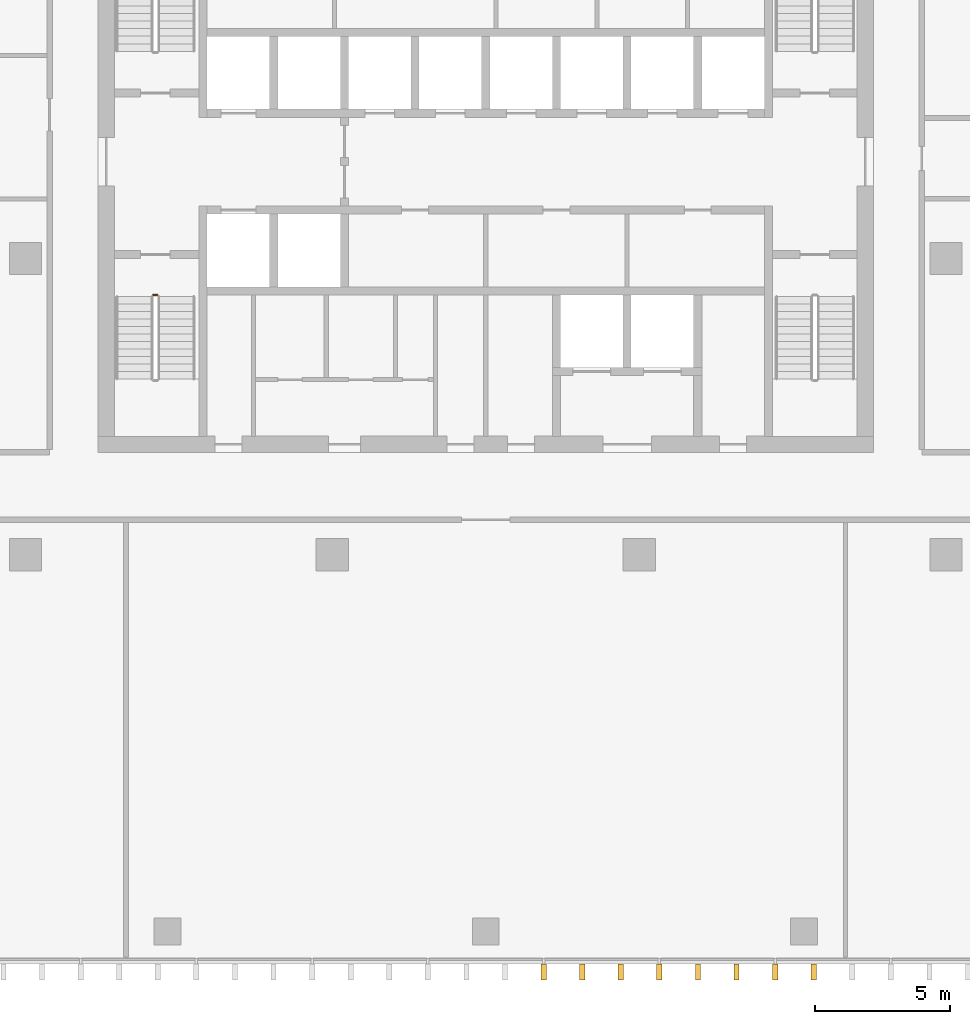
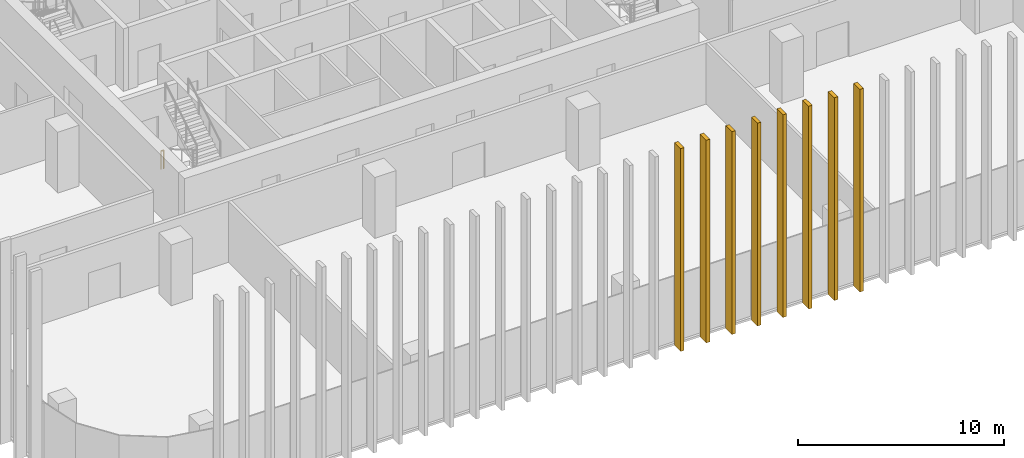
# One storey, part 12 of 16: 8 shading devices, 1 railing.
"""IFC4 building model written with IfcOpenShell, lengths in metres."""

from ifc_helpers import new_model, si_unit, direction, frame, origin, origin_2d, place, context, subcontext, project, spatial, rectangle, circle, extrude, material, type_object, element, save


model = new_model("IFC4")

# Units and contexts
model_context = context("Model", 3, precision=1e-05, world=origin(), true_north=direction((0.0, 1.0)))
body_context = subcontext(model_context, "Body", "Model", "MODEL_VIEW")
ifc_project = project(units=[si_unit("LENGTHUNIT", "METRE"), si_unit("AREAUNIT", "SQUARE_METRE"), si_unit("VOLUMEUNIT", "CUBIC_METRE"), si_unit("PLANEANGLEUNIT", "RADIAN"), si_unit("MASSUNIT", "GRAM", prefix="KILO")], contexts=[model_context])

# Site, building, storey
site_placement = place(None, origin())
site = spatial("IfcSite", under=ifc_project, at=site_placement, CompositionType="ELEMENT")
building_placement = place(site_placement, origin())
building = spatial("IfcBuilding", under=site, at=building_placement, Name="Mopane Tessera Tower", CompositionType="ELEMENT")
storey_placement = place(building_placement, frame((0.0, 0.0, 267.39990234375)))
storey = spatial("IfcBuildingStorey", under=building, at=storey_placement, Name="L57", CompositionType="ELEMENT", Elevation=267.39990234375)

# Shading devices
ifc_material_1 = material(Name="Glazed ceramic tile")
shading_device_type = type_object("IfcShadingDeviceType", Name="Ceramic tile fin 600 x 200 mm", PredefinedType="USERDEFINED", material=ifc_material_1)
for number, where, z_axis, x_axis, name in (
    (1, (2.14990234375, -26.5, -0.39990234375), (0.0, 0.0, 1.0), (1.0, 0.0, 0.0), "e:fin:L57:S:6:0"),
    (2, (3.583251953125, -26.5, -0.39990234375), (0.0, 0.0, 1.0), (1.0, 0.0, 0.0), "e:fin:L57:S:6:1"),
    (3, (5.0166015625, -26.5, -0.39990234375), (0.0, 0.0, 1.0), (1.0, 0.0, 0.0), "e:fin:L57:S:6:2"),
    (4, (6.449951171875, -26.5, -0.39990234375), (0.0, 0.0, 1.0), (1.0, 0.0, 0.0), "e:fin:L57:S:7:0"),
    (5, (7.88330078125, -26.5, -0.39990234375), (0.0, 0.0, 1.0), (1.0, 0.0, 0.0), "e:fin:L57:S:7:1"),
    (6, (9.316650390625, -26.5, -0.39990234375), (0.0, 0.0, 1.0), (1.0, 0.0, 0.0), "e:fin:L57:S:7:2"),
    (7, (10.75, -26.5, -0.39990234375), (0.0, 0.0, 1.0), (1.0, 0.0, 0.0), "e:fin:L57:S:8:0"),
    (8, (12.183349609375, -26.5, -0.39990234375), (0.0, 0.0, 1.0), (1.0, 0.0, 0.0), "e:fin:L57:S:8:1"),
):
    element("IfcShadingDevice", number, at=place(storey_placement, frame(where, z_axis=z_axis, x_axis=x_axis)), inside=storey, type_object=shading_device_type, Name=name, ObjectType="FIN", PredefinedType="USERDEFINED", context=body_context, shape_type="SweptSolid", body=[
        extrude(rectangle(XDim=0.199951171875, YDim=0.60009765625, at=origin_2d()), origin(), (0.0, 0.0, 1.0), 12.0),
    ])

# Railing
ifc_material_2 = material(Name="Powder-coated steel balustrade", Category="steel")
railing_type = type_object("IfcRailingType", Name="Escape stair guard 1100 mm", PredefinedType="GUARDRAIL", material=ifc_material_2)
railing_placement = place(storey_placement, frame((-12.35009765625, -1.35009765625, 0.0)))
element("IfcRailing", 9, at=railing_placement, inside=storey, type_object=railing_type, Name="L57 ST1 stair guard 3", PredefinedType="GUARDRAIL", context=body_context, shape_type="SweptSolid", body=[
    extrude(circle(Radius=0.02392578125, at=origin_2d()), frame((0.0, 0.0, 1.076171875), z_axis=(1.0, 0.0, 0.0), x_axis=(0.0, 1.0, 0.0)), (0.0, 0.0, 1.0), 0.150146484375),
    extrude(circle(Radius=0.02099609375, at=origin_2d()), origin(), (0.0, 0.0, 1.0), 1.052001953125),
    extrude(circle(Radius=0.02099609375, at=origin_2d()), frame((0.150146484375, 0.0, 0.0)), (0.0, 0.0, 1.0), 1.052001953125),
])

save(model, "model.ifc")
